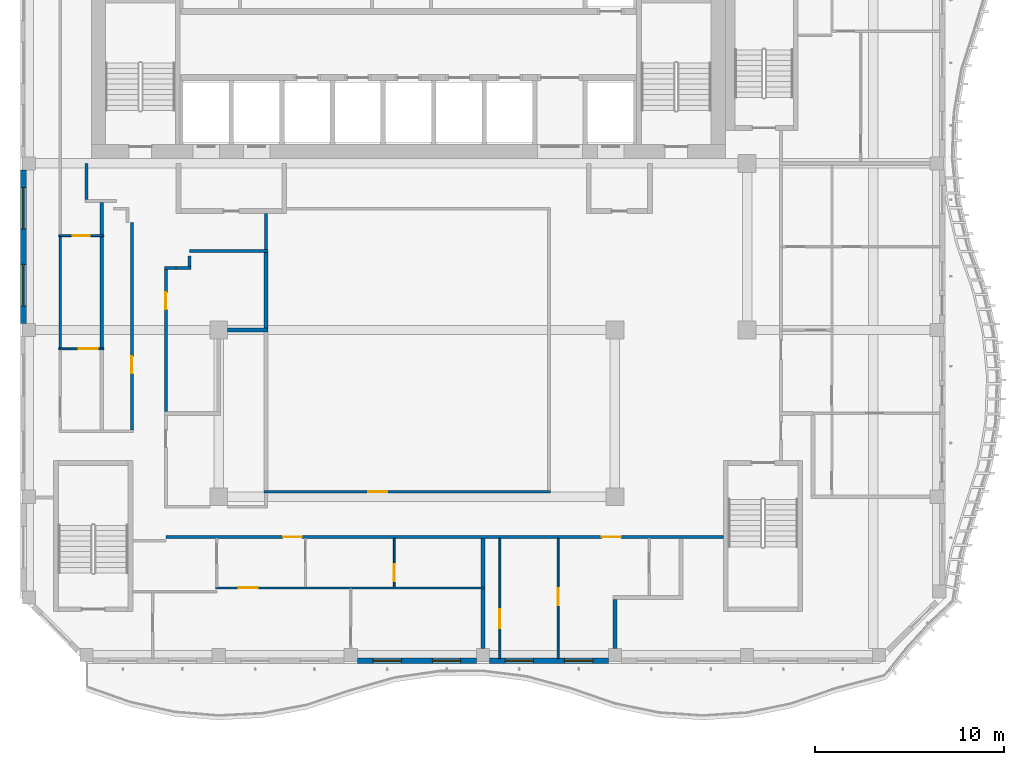
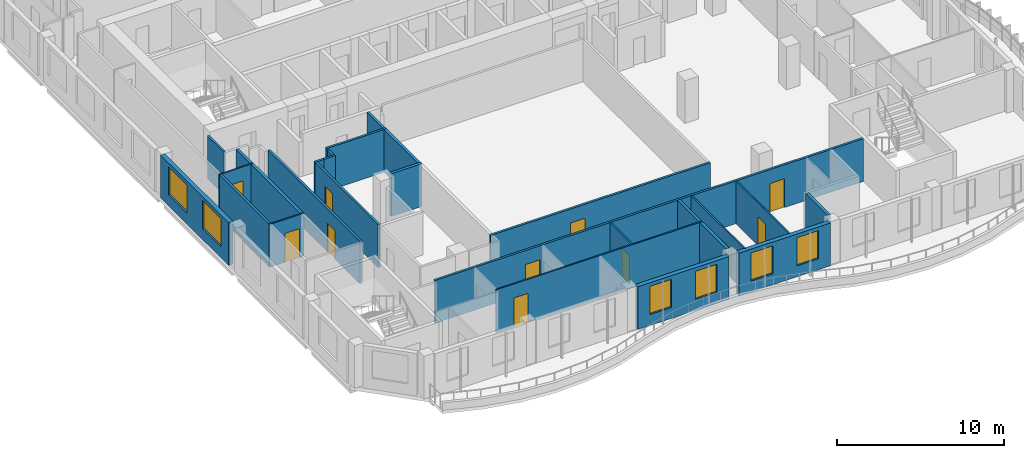
# One storey, part 3 of 19: 27 walls, 11 doors, 6 windows, 17 openings.
"""IFC4 building model written with IfcOpenShell, lengths in metres."""

from ifc_helpers import new_model, si_unit, direction, frame, frame_2d, origin, place, context, subcontext, project, spatial, rectangle, extrude, source, transform, mapped, material, layer, layer_set, type_object, element, fill, save


model = new_model("IFC4")

# Units and contexts
model_context = context("Model", 3, precision=1e-05, world=origin(), true_north=direction((0.0, 1.0)))
body_context = subcontext(model_context, "Body", "Model", "MODEL_VIEW")
ifc_project = project(units=[si_unit("LENGTHUNIT", "METRE"), si_unit("AREAUNIT", "SQUARE_METRE"), si_unit("VOLUMEUNIT", "CUBIC_METRE"), si_unit("PLANEANGLEUNIT", "RADIAN"), si_unit("MASSUNIT", "GRAM", prefix="KILO")], contexts=[model_context])

# Site, building, storey
site_placement = place(None, origin())
site = spatial("IfcSite", under=ifc_project, at=site_placement, CompositionType="ELEMENT")
building_placement = place(site_placement, origin())
building = spatial("IfcBuilding", under=site, at=building_placement, Name="Kilnfold Tower and Market Hall", CompositionType="ELEMENT")
storey_placement = place(building_placement, frame((0.0, 0.0, 245.800048828125)))
storey = spatial("IfcBuildingStorey", under=building, at=storey_placement, Name="L59", CompositionType="ELEMENT", Elevation=245.800048828125)

# Walls
ifc_material_1 = material(Name="Gypsum board on steel studs", Category="steel")
ifc_layer_1 = layer(ifc_material_1, 0.14990234375)
ifc_layer_set_1 = layer_set([ifc_layer_1], Name="Gypsum board on steel studs")
wall_type_1 = type_object("IfcWallType", Name="WALL CORRIDOR 150", PredefinedType="PARTITIONING", material=ifc_layer_set_1)
wall_1_placement = place(storey_placement, frame((-17.39990234375, -1.791015625, 0.0), z_axis=(0.0, 0.0, 1.0), x_axis=(0.0, 1.0, 0.0)))
element("IfcWall", 1, at=wall_1_placement, inside=storey, type_object=wall_type_1, Name="Partition LY36.3", PredefinedType="PARTITIONING", context=body_context, shape_type="SweptSolid", body=[
    extrude(rectangle(XDim=5.925048828125, YDim=0.14990234375, at=frame_2d((2.96240234375, 0.0))), origin(), (0.0, 0.0, 1.0), 3.119873046875),
])
wall_2_placement = place(storey_placement, frame((-16.0, 6.074951171875, 0.0), z_axis=(0.0, 0.0, 1.0), x_axis=(0.0, 1.0, 0.0)))
element("IfcWall", 2, at=wall_2_placement, inside=storey, type_object=wall_type_1, Name="Partition LY36.6", PredefinedType="PARTITIONING", context=body_context, shape_type="SweptSolid", body=[
    extrude(rectangle(XDim=1.925048828125, YDim=0.14990234375, at=frame_2d((0.96240234375, 0.0))), origin(), (0.0, 0.0, 1.0), 3.119873046875),
])

# Wall, openings, doors
wall_3_placement = place(storey_placement, frame((-11.800048828125, -11.800048828125, 0.0), z_axis=(0.0, 0.0, 1.0), x_axis=(1.0, 0.0, 0.0)))
wall_3 = element("IfcWall", 3, at=wall_3_placement, inside=storey, type_object=wall_type_1, Name="Partition LY36.9", PredefinedType="PARTITIONING", context=body_context, shape_type="SweptSolid", body=[
    extrude(rectangle(XDim=29.550048828125, YDim=0.14990234375, at=frame_2d((14.77490234375, 0.0))), origin(), (0.0, 0.0, 1.0), 3.119873046875),
])
opening_1_placement = place(wall_3_placement, frame((6.2099609375, 0.0, 0.0)))
opening_1 = element("IfcOpeningElement", 4, at=opening_1_placement, cuts=wall_3, Name="Opening D1", PredefinedType="OPENING", context=body_context, shape_type="SweptSolid", body=[
    extrude(rectangle(XDim=1.0, YDim=2.10009765625, at=frame_2d((0.5, 1.050048828125))), frame((0.0, 0.0849609375, 0.0), z_axis=(0.0, -1.0, 0.0), x_axis=(1.0, 0.0, 0.0)), (0.0, 0.0, 1.0), 0.169921875),
])
opening_2_placement = place(wall_3_placement, frame((23.111083984375, 0.0, 0.0)))
opening_2 = element("IfcOpeningElement", 5, at=opening_2_placement, cuts=wall_3, Name="Opening D1", PredefinedType="OPENING", context=body_context, shape_type="SweptSolid", body=[
    extrude(rectangle(XDim=1.0, YDim=2.10009765625, at=frame_2d((0.5, 1.050048828125))), frame((0.0, 0.0849609375, 0.0), z_axis=(0.0, -1.0, 0.0), x_axis=(1.0, 0.0, 0.0)), (0.0, 0.0, 1.0), 0.169921875),
])
ifc_material_2 = material(Name="Timber veneer door leaf in steel frame", Category="steel")
door_type_1 = type_object("IfcDoorType", Name="DOOR ENTRY 1000 X2100", OperationType="NOTDEFINED", PredefinedType="DOOR", material=ifc_material_2)
door_1_placement = place(opening_1_placement, origin())
door_1 = element("IfcDoor", 6, at=door_1_placement, inside=storey, type_object=door_type_1, Name="Door D1", OperationType="SINGLE_SWING_RIGHT", OverallHeight=2.10009765625, OverallWidth=1.0, PredefinedType="DOOR", context=body_context, shape_type="SweptSolid", body=[
    extrude(rectangle(XDim=1.0, YDim=2.10009765625, at=frame_2d((0.5, 1.050048828125))), frame((0.0, 0.02490234375, 0.0), z_axis=(0.0, -1.0, 0.0), x_axis=(1.0, 0.0, 0.0)), (0.0, 0.0, 1.0), 0.050048828125),
])
fill(opening_1, door_1)
door_2_placement = place(opening_2_placement, origin())
door_2 = element("IfcDoor", 7, at=door_2_placement, inside=storey, type_object=door_type_1, Name="Door D1", OperationType="SINGLE_SWING_RIGHT", OverallHeight=2.10009765625, OverallWidth=1.0, PredefinedType="DOOR", context=body_context, shape_type="SweptSolid", body=[
    extrude(rectangle(XDim=1.0, YDim=2.10009765625, at=frame_2d((0.5, 1.050048828125))), frame((0.0, 0.02490234375, 0.0), z_axis=(0.0, -1.0, 0.0), x_axis=(1.0, 0.0, 0.0)), (0.0, 0.0, 1.0), 0.050048828125),
])
fill(opening_2, door_2)

# Wall, opening, door
wall_4_placement = place(storey_placement, frame((-13.60009765625, 4.87890625, 0.0), z_axis=(0.0, 0.0, 1.0), x_axis=(0.0, -1.0, 0.0)))
wall_4 = element("IfcWall", 8, at=wall_4_placement, inside=storey, type_object=wall_type_1, Name="Partition LY36.28", PredefinedType="PARTITIONING", context=body_context, shape_type="SweptSolid", body=[
    extrude(rectangle(XDim=11.00390625, YDim=0.14990234375, at=frame_2d((5.501953125, 0.0))), origin(), (0.0, 0.0, 1.0), 3.119873046875),
])
opening_3_placement = place(wall_4_placement, frame((7.10302734375, 0.0, 0.0)))
opening_3 = element("IfcOpeningElement", 9, at=opening_3_placement, cuts=wall_4, Name="Opening D2", PredefinedType="OPENING", context=body_context, shape_type="SweptSolid", body=[
    extrude(rectangle(XDim=0.89990234375, YDim=2.10009765625, at=frame_2d((0.449951171875, 1.050048828125))), frame((0.0, 0.0849609375, 0.0), z_axis=(0.0, -1.0, 0.0), x_axis=(1.0, 0.0, 0.0)), (0.0, 0.0, 1.0), 0.169921875),
])
ifc_material_3 = material(Name="Timber veneer door leaf in steel frame", Category="steel")
door_type_2 = type_object("IfcDoorType", Name="DOOR ROOM 900 X2100", OperationType="NOTDEFINED", PredefinedType="DOOR", material=ifc_material_3)
door_3_placement = place(opening_3_placement, origin())
door_3 = element("IfcDoor", 10, at=door_3_placement, inside=storey, type_object=door_type_2, Name="Door D2", OperationType="SINGLE_SWING_RIGHT", OverallHeight=2.10009765625, OverallWidth=0.89990234375, PredefinedType="DOOR", context=body_context, shape_type="SweptSolid", body=[
    extrude(rectangle(XDim=0.89990234375, YDim=2.10009765625, at=frame_2d((0.449951171875, 1.050048828125))), frame((0.0, 0.02490234375, 0.0), z_axis=(0.0, -1.0, 0.0), x_axis=(1.0, 0.0, 0.0)), (0.0, 0.0, 1.0), 0.050048828125),
])
fill(opening_3, door_3)

# Walls
wall_5_placement = place(storey_placement, frame((-10.5458984375, 3.35009765625, 0.0), z_axis=(0.0, 0.0, 1.0), x_axis=(1.0, 0.0, 0.0)))
element("IfcWall", 11, at=wall_5_placement, inside=storey, type_object=wall_type_1, Name="Partition LY36.31", PredefinedType="PARTITIONING", context=body_context, shape_type="SweptSolid", body=[
    extrude(rectangle(XDim=4.14599609375, YDim=0.14990234375, at=frame_2d((2.072998046875, 0.0))), origin(), (0.0, 0.0, 1.0), 3.119873046875),
])
wall_6_placement = place(storey_placement, frame((-10.5439453125, 2.52294921875, 0.0), z_axis=(0.0, 0.0, 1.0), x_axis=(0.0, 1.0, 0.0)))
element("IfcWall", 12, at=wall_6_placement, inside=storey, type_object=wall_type_1, Name="Partition LY36.32", PredefinedType="PARTITIONING", context=body_context, shape_type="SweptSolid", body=[
    extrude(rectangle(XDim=0.570068359375, YDim=0.14990234375, at=frame_2d((0.28515625, 0.0))), origin(), (0.0, 0.0, 1.0), 3.119873046875),
])
wall_7_placement = place(storey_placement, frame((-11.261962890625, 2.447998046875, 0.0), z_axis=(0.0, 0.0, 1.0), x_axis=(1.0, 0.0, 0.0)))
element("IfcWall", 13, at=wall_7_placement, inside=storey, type_object=wall_type_1, Name="Partition LY36.33", PredefinedType="PARTITIONING", context=body_context, shape_type="SweptSolid", body=[
    extrude(rectangle(XDim=0.79296875, YDim=0.14990234375, at=frame_2d((0.396484375, 0.0))), origin(), (0.0, 0.0, 1.0), 3.119873046875),
])
wall_8_placement = place(storey_placement, frame((-11.875, 2.449951171875, 0.0), z_axis=(0.0, 0.0, 1.0), x_axis=(1.0, 0.0, 0.0)))
element("IfcWall", 14, at=wall_8_placement, inside=storey, type_object=wall_type_1, Name="Partition LY36.34", PredefinedType="PARTITIONING", context=body_context, shape_type="SweptSolid", body=[
    extrude(rectangle(XDim=0.613037109375, YDim=0.14990234375, at=frame_2d((0.306640625, 0.0))), origin(), (0.0, 0.0, 1.0), 3.119873046875),
])

# Wall, opening, door
wall_9_placement = place(storey_placement, frame((-11.800048828125, -5.159912109375, 0.0), z_axis=(0.0, 0.0, 1.0), x_axis=(0.0, 1.0, 0.0)))
wall_9 = element("IfcWall", 15, at=wall_9_placement, inside=storey, type_object=wall_type_1, Name="Partition LY36.35", PredefinedType="PARTITIONING", context=body_context, shape_type="SweptSolid", body=[
    extrude(rectangle(XDim=7.534912109375, YDim=0.14990234375, at=frame_2d((3.767578125, 0.0))), origin(), (0.0, 0.0, 1.0), 3.119873046875),
])
opening_4_placement = place(wall_9_placement, frame((5.428955078125, 0.0, 0.0)))
opening_4 = element("IfcOpeningElement", 16, at=opening_4_placement, cuts=wall_9, Name="Opening D2", PredefinedType="OPENING", context=body_context, shape_type="SweptSolid", body=[
    extrude(rectangle(XDim=0.89990234375, YDim=2.10009765625, at=frame_2d((0.449951171875, 1.050048828125))), frame((0.0, 0.0849609375, 0.0), z_axis=(0.0, -1.0, 0.0), x_axis=(1.0, 0.0, 0.0)), (0.0, 0.0, 1.0), 0.169921875),
])
door_4_placement = place(opening_4_placement, origin())
door_4 = element("IfcDoor", 17, at=door_4_placement, inside=storey, type_object=door_type_2, Name="Door D2", OperationType="SINGLE_SWING_LEFT", OverallHeight=2.10009765625, OverallWidth=0.89990234375, PredefinedType="DOOR", context=body_context, shape_type="SweptSolid", body=[
    extrude(rectangle(XDim=0.89990234375, YDim=2.10009765625, at=frame_2d((0.449951171875, 1.050048828125))), frame((0.0, 0.02490234375, 0.0), z_axis=(0.0, -1.0, 0.0), x_axis=(1.0, 0.0, 0.0)), (0.0, 0.0, 1.0), 0.050048828125),
])
fill(opening_4, door_4)

# Wall
wall_10_placement = place(storey_placement, frame((-6.5, 3.425048828125, 0.0), z_axis=(0.0, 0.0, 1.0), x_axis=(0.0, 1.0, 0.0)))
element("IfcWall", 18, at=wall_10_placement, inside=storey, type_object=wall_type_1, Name="Partition LY36.40", PredefinedType="PARTITIONING", context=body_context, shape_type="SweptSolid", body=[
    extrude(rectangle(XDim=1.925048828125, YDim=0.14990234375, at=frame_2d((0.96240234375, 0.0))), origin(), (0.0, 0.0, 1.0), 3.119873046875),
])

# Wall, opening, door
wall_11_placement = place(storey_placement, frame((8.574951171875, -9.39990234375, 0.0), z_axis=(0.0, 0.0, 1.0), x_axis=(-1.0, 0.0, 0.0)))
wall_11 = element("IfcWall", 19, at=wall_11_placement, inside=storey, type_object=wall_type_1, Name="Partition LY36.41", PredefinedType="PARTITIONING", context=body_context, shape_type="SweptSolid", body=[
    extrude(rectangle(XDim=15.175048828125, YDim=0.14990234375, at=frame_2d((7.58740234375, 0.0))), origin(), (0.0, 0.0, 1.0), 3.119873046875),
])
opening_5_placement = place(wall_11_placement, frame((8.64599609375, 0.0, 0.0)))
opening_5 = element("IfcOpeningElement", 20, at=opening_5_placement, cuts=wall_11, Name="Opening D1", PredefinedType="OPENING", context=body_context, shape_type="SweptSolid", body=[
    extrude(rectangle(XDim=1.0, YDim=2.10009765625, at=frame_2d((0.5, 1.050048828125))), frame((0.0, 0.0849609375, 0.0), z_axis=(0.0, -1.0, 0.0), x_axis=(1.0, 0.0, 0.0)), (0.0, 0.0, 1.0), 0.169921875),
])
door_5_placement = place(opening_5_placement, origin())
door_5 = element("IfcDoor", 21, at=door_5_placement, inside=storey, type_object=door_type_1, Name="Door D1", OperationType="SINGLE_SWING_RIGHT", OverallHeight=2.10009765625, OverallWidth=1.0, PredefinedType="DOOR", context=body_context, shape_type="SweptSolid", body=[
    extrude(rectangle(XDim=1.0, YDim=2.10009765625, at=frame_2d((0.5, 1.050048828125))), frame((0.0, 0.02490234375, 0.0), z_axis=(0.0, -1.0, 0.0), x_axis=(1.0, 0.0, 0.0)), (0.0, 0.0, 1.0), 0.050048828125),
])
fill(opening_5, door_5)

ifc_material_4 = material(Name="Gypsum board on steel studs", Category="steel")
ifc_layer_2 = layer(ifc_material_4, 0.10009765625)
ifc_layer_set_2 = layer_set([ifc_layer_2], Name="Gypsum board on steel studs")
wall_type_2 = type_object("IfcWallType", Name="WALL PARTITION 100", PredefinedType="PARTITIONING", material=ifc_layer_set_2)
wall_12_placement = place(storey_placement, frame((-15.10009765625, -1.8310546875, 0.0), z_axis=(0.0, 0.0, 1.0), x_axis=(-1.0, 0.0, 0.0)))
wall_12 = element("IfcWall", 22, at=wall_12_placement, inside=storey, type_object=wall_type_2, Name="Partition LY36.44", PredefinedType="PARTITIONING", context=body_context, shape_type="SweptSolid", body=[
    extrude(rectangle(XDim=2.372802734375, YDim=0.10009765625, at=frame_2d((1.1865234375, 0.0))), origin(), (0.0, 0.0, 1.0), 3.119873046875),
])
opening_6_placement = place(wall_12_placement, frame((0.30810546875, 0.0, 0.0)))
opening_6 = element("IfcOpeningElement", 23, at=opening_6_placement, cuts=wall_12, Name="Opening D1", PredefinedType="OPENING", context=body_context, shape_type="SweptSolid", body=[
    extrude(rectangle(XDim=1.0, YDim=2.10009765625, at=frame_2d((0.5, 1.050048828125))), frame((0.0, 0.06005859375, 0.0), z_axis=(0.0, -1.0, 0.0), x_axis=(1.0, 0.0, 0.0)), (0.0, 0.0, 1.0), 0.1201171875),
])
door_6_placement = place(opening_6_placement, origin())
door_6 = element("IfcDoor", 24, at=door_6_placement, inside=storey, type_object=door_type_1, Name="Door D1", OperationType="SINGLE_SWING_RIGHT", OverallHeight=2.10009765625, OverallWidth=1.0, PredefinedType="DOOR", context=body_context, shape_type="SweptSolid", body=[
    extrude(rectangle(XDim=1.0, YDim=2.10009765625, at=frame_2d((0.5, 1.050048828125))), frame((0.0, 0.02490234375, 0.0), z_axis=(0.0, -1.0, 0.0), x_axis=(1.0, 0.0, 0.0)), (0.0, 0.0, 1.0), 0.050048828125),
])
fill(opening_6, door_6)

wall_13_placement = place(storey_placement, frame((-15.10009765625, 4.174072265625, 0.0), z_axis=(0.0, 0.0, 1.0), x_axis=(-1.0, 0.0, 0.0)))
wall_13 = element("IfcWall", 25, at=wall_13_placement, inside=storey, type_object=wall_type_2, Name="Partition LY36.46", PredefinedType="PARTITIONING", context=body_context, shape_type="SweptSolid", body=[
    extrude(rectangle(XDim=2.372802734375, YDim=0.10009765625, at=frame_2d((1.1865234375, 0.0))), origin(), (0.0, 0.0, 1.0), 3.119873046875),
])
opening_7_placement = place(wall_13_placement, frame((0.736083984375, 0.0, 0.0)))
opening_7 = element("IfcOpeningElement", 26, at=opening_7_placement, cuts=wall_13, Name="Opening D2", PredefinedType="OPENING", context=body_context, shape_type="SweptSolid", body=[
    extrude(rectangle(XDim=0.89990234375, YDim=2.10009765625, at=frame_2d((0.449951171875, 1.050048828125))), frame((0.0, 0.06005859375, 0.0), z_axis=(0.0, -1.0, 0.0), x_axis=(1.0, 0.0, 0.0)), (0.0, 0.0, 1.0), 0.1201171875),
])
door_7_placement = place(opening_7_placement, origin())
door_7 = element("IfcDoor", 27, at=door_7_placement, inside=storey, type_object=door_type_2, Name="Door D2", OperationType="SINGLE_SWING_RIGHT", OverallHeight=2.10009765625, OverallWidth=0.89990234375, PredefinedType="DOOR", context=body_context, shape_type="SweptSolid", body=[
    extrude(rectangle(XDim=0.89990234375, YDim=2.10009765625, at=frame_2d((0.449951171875, 1.050048828125))), frame((0.0, 0.02490234375, 0.0), z_axis=(0.0, -1.0, 0.0), x_axis=(1.0, 0.0, 0.0)), (0.0, 0.0, 1.0), 0.050048828125),
])
fill(opening_7, door_7)

wall_14_placement = place(storey_placement, frame((-9.14990234375, -14.5, 0.0), z_axis=(0.0, 0.0, 1.0), x_axis=(1.0, 0.0, 0.0)))
wall_14 = element("IfcWall", 28, at=wall_14_placement, inside=storey, type_object=wall_type_2, Name="Partition LY36.53", PredefinedType="PARTITIONING", context=body_context, shape_type="SweptSolid", body=[
    extrude(rectangle(XDim=14.25, YDim=0.10009765625, at=frame_2d((7.125, 0.0))), origin(), (0.0, 0.0, 1.0), 3.119873046875),
])
opening_8_placement = place(wall_14_placement, frame((1.215087890625, 0.0, 0.0)))
opening_8 = element("IfcOpeningElement", 29, at=opening_8_placement, cuts=wall_14, Name="Opening D1", PredefinedType="OPENING", context=body_context, shape_type="SweptSolid", body=[
    extrude(rectangle(XDim=1.0, YDim=2.10009765625, at=frame_2d((0.5, 1.050048828125))), frame((0.0, 0.06005859375, 0.0), z_axis=(0.0, -1.0, 0.0), x_axis=(1.0, 0.0, 0.0)), (0.0, 0.0, 1.0), 0.1201171875),
])
door_8_placement = place(opening_8_placement, origin())
door_8 = element("IfcDoor", 30, at=door_8_placement, inside=storey, type_object=door_type_1, Name="Door D1", OperationType="SINGLE_SWING_LEFT", OverallHeight=2.10009765625, OverallWidth=1.0, PredefinedType="DOOR", context=body_context, shape_type="SweptSolid", body=[
    extrude(rectangle(XDim=1.0, YDim=2.10009765625, at=frame_2d((0.5, 1.050048828125))), frame((0.0, 0.02490234375, 0.0), z_axis=(0.0, -1.0, 0.0), x_axis=(1.0, 0.0, 0.0)), (0.0, 0.0, 1.0), 0.050048828125),
])
fill(opening_8, door_8)

wall_15_placement = place(storey_placement, frame((0.300048828125, -14.449951171875, 0.0), z_axis=(0.0, 0.0, 1.0), x_axis=(0.0, 1.0, 0.0)))
wall_15 = element("IfcWall", 31, at=wall_15_placement, inside=storey, type_object=wall_type_2, Name="Partition LY36.54", PredefinedType="PARTITIONING", context=body_context, shape_type="SweptSolid", body=[
    extrude(rectangle(XDim=2.572998046875, YDim=0.10009765625, at=frame_2d((1.28662109375, 0.0))), origin(), (0.0, 0.0, 1.0), 3.119873046875),
])
opening_9_placement = place(wall_15_placement, frame((0.305908203125, 0.0, 0.0)))
opening_9 = element("IfcOpeningElement", 32, at=opening_9_placement, cuts=wall_15, Name="Opening D2", PredefinedType="OPENING", context=body_context, shape_type="SweptSolid", body=[
    extrude(rectangle(XDim=0.89990234375, YDim=2.10009765625, at=frame_2d((0.449951171875, 1.050048828125))), frame((0.0, 0.06005859375, 0.0), z_axis=(0.0, -1.0, 0.0), x_axis=(1.0, 0.0, 0.0)), (0.0, 0.0, 1.0), 0.1201171875),
])
door_9_placement = place(opening_9_placement, origin())
door_9 = element("IfcDoor", 33, at=door_9_placement, inside=storey, type_object=door_type_2, Name="Door D2", OperationType="SINGLE_SWING_RIGHT", OverallHeight=2.10009765625, OverallWidth=0.89990234375, PredefinedType="DOOR", context=body_context, shape_type="SweptSolid", body=[
    extrude(rectangle(XDim=0.89990234375, YDim=2.10009765625, at=frame_2d((0.449951171875, 1.050048828125))), frame((0.0, 0.02490234375, 0.0), z_axis=(0.0, -1.0, 0.0), x_axis=(1.0, 0.0, 0.0)), (0.0, 0.0, 1.0), 0.050048828125),
])
fill(opening_9, door_9)

wall_16_placement = place(storey_placement, frame((5.89990234375, -18.25, 0.0), z_axis=(0.0, 0.0, 1.0), x_axis=(0.0, 1.0, 0.0)))
wall_16 = element("IfcWall", 34, at=wall_16_placement, inside=storey, type_object=wall_type_2, Name="Partition LY36.59", PredefinedType="PARTITIONING", context=body_context, shape_type="SweptSolid", body=[
    extrude(rectangle(XDim=6.373046875, YDim=0.10009765625, at=frame_2d((3.1865234375, 0.0))), origin(), (0.0, 0.0, 1.0), 3.119873046875),
])
opening_10_placement = place(wall_16_placement, frame((1.62109375, 0.0, 0.0)))
opening_10 = element("IfcOpeningElement", 35, at=opening_10_placement, cuts=wall_16, Name="Opening D1", PredefinedType="OPENING", context=body_context, shape_type="SweptSolid", body=[
    extrude(rectangle(XDim=1.0, YDim=2.10009765625, at=frame_2d((0.5, 1.050048828125))), frame((0.0, 0.06005859375, 0.0), z_axis=(0.0, -1.0, 0.0), x_axis=(1.0, 0.0, 0.0)), (0.0, 0.0, 1.0), 0.1201171875),
])
door_10_placement = place(opening_10_placement, origin())
door_10 = element("IfcDoor", 36, at=door_10_placement, inside=storey, type_object=door_type_1, Name="Door D1", OperationType="SINGLE_SWING_LEFT", OverallHeight=2.10009765625, OverallWidth=1.0, PredefinedType="DOOR", context=body_context, shape_type="SweptSolid", body=[
    extrude(rectangle(XDim=1.0, YDim=2.10009765625, at=frame_2d((0.5, 1.050048828125))), frame((0.0, 0.02490234375, 0.0), z_axis=(0.0, -1.0, 0.0), x_axis=(1.0, 0.0, 0.0)), (0.0, 0.0, 1.0), 0.050048828125),
])
fill(opening_10, door_10)

wall_17_placement = place(storey_placement, frame((8.989990234375, -18.25, 0.0), z_axis=(0.0, 0.0, 1.0), x_axis=(0.0, 1.0, 0.0)))
wall_17 = element("IfcWall", 37, at=wall_17_placement, inside=storey, type_object=wall_type_2, Name="Partition LY36.60", PredefinedType="PARTITIONING", context=body_context, shape_type="SweptSolid", body=[
    extrude(rectangle(XDim=6.373046875, YDim=0.10009765625, at=frame_2d((3.1865234375, 0.0))), origin(), (0.0, 0.0, 1.0), 3.119873046875),
])
opening_11_placement = place(wall_17_placement, frame((2.837890625, 0.0, 0.0)))
opening_11 = element("IfcOpeningElement", 38, at=opening_11_placement, cuts=wall_17, Name="Opening D2", PredefinedType="OPENING", context=body_context, shape_type="SweptSolid", body=[
    extrude(rectangle(XDim=0.89990234375, YDim=2.10009765625, at=frame_2d((0.449951171875, 1.050048828125))), frame((0.0, 0.06005859375, 0.0), z_axis=(0.0, -1.0, 0.0), x_axis=(1.0, 0.0, 0.0)), (0.0, 0.0, 1.0), 0.1201171875),
])
door_11_placement = place(opening_11_placement, origin())
door_11 = element("IfcDoor", 39, at=door_11_placement, inside=storey, type_object=door_type_2, Name="Door D2", OperationType="SINGLE_SWING_LEFT", OverallHeight=2.10009765625, OverallWidth=0.89990234375, PredefinedType="DOOR", context=body_context, shape_type="SweptSolid", body=[
    extrude(rectangle(XDim=0.89990234375, YDim=2.10009765625, at=frame_2d((0.449951171875, 1.050048828125))), frame((0.0, 0.02490234375, 0.0), z_axis=(0.0, -1.0, 0.0), x_axis=(1.0, 0.0, 0.0)), (0.0, 0.0, 1.0), 0.050048828125),
])
fill(opening_11, door_11)

# Walls
ifc_material_5 = material(Name="Gypsum board on steel studs", Category="steel")
ifc_layer_3 = layer(ifc_material_5, 0.199951171875)
ifc_layer_set_3 = layer_set([ifc_layer_3], Name="Gypsum board on steel studs")
wall_type_3 = type_object("IfcWallType", Name="WALL PARTY 200", PredefinedType="PARTITIONING", material=ifc_layer_set_3)
wall_18_placement = place(storey_placement, frame((-15.199951171875, -1.781005859375, 0.0), z_axis=(0.0, 0.0, 1.0), x_axis=(0.0, 1.0, 0.0)))
element("IfcWall", 40, at=wall_18_placement, inside=storey, type_object=wall_type_3, Name="Partition LY36.47", PredefinedType="PARTITIONING", context=body_context, shape_type="SweptSolid", body=[
    extrude(rectangle(XDim=5.905029296875, YDim=0.199951171875, at=frame_2d((2.95263671875, 0.0))), origin(), (0.0, 0.0, 1.0), 3.119873046875),
])
wall_19_placement = place(storey_placement, frame((-15.199951171875, 4.22412109375, 0.0), z_axis=(0.0, 0.0, 1.0), x_axis=(0.0, 1.0, 0.0)))
element("IfcWall", 41, at=wall_19_placement, inside=storey, type_object=wall_type_3, Name="Partition LY36.49", PredefinedType="PARTITIONING", context=body_context, shape_type="SweptSolid", body=[
    extrude(rectangle(XDim=1.698974609375, YDim=0.199951171875, at=frame_2d((0.849609375, 0.0))), origin(), (0.0, 0.0, 1.0), 3.119873046875),
])
wall_20_placement = place(storey_placement, frame((5.0, -14.449951171875, 0.0), z_axis=(0.0, 0.0, 1.0), x_axis=(0.0, 1.0, 0.0)))
element("IfcWall", 42, at=wall_20_placement, inside=storey, type_object=wall_type_3, Name="Partition LY36.55", PredefinedType="PARTITIONING", context=body_context, shape_type="SweptSolid", body=[
    extrude(rectangle(XDim=2.572998046875, YDim=0.199951171875, at=frame_2d((1.28662109375, 0.0))), origin(), (0.0, 0.0, 1.0), 3.119873046875),
])
wall_21_placement = place(storey_placement, frame((5.0, -17.699951171875, 0.0), z_axis=(0.0, 0.0, 1.0), x_axis=(0.0, 1.0, 0.0)))
element("IfcWall", 43, at=wall_21_placement, inside=storey, type_object=wall_type_3, Name="Partition LY36.58", PredefinedType="PARTITIONING", context=body_context, shape_type="SweptSolid", body=[
    extrude(rectangle(XDim=3.14794921875, YDim=0.199951171875, at=frame_2d((1.573974609375, 0.0))), origin(), (0.0, 0.0, 1.0), 3.119873046875),
])
wall_22_placement = place(storey_placement, frame((12.0, -17.699951171875, 0.0), z_axis=(0.0, 0.0, 1.0), x_axis=(0.0, 1.0, 0.0)))
element("IfcWall", 44, at=wall_22_placement, inside=storey, type_object=wall_type_3, Name="Partition LY36.63", PredefinedType="PARTITIONING", context=body_context, shape_type="SweptSolid", body=[
    extrude(rectangle(XDim=2.599853515625, YDim=0.199951171875, at=frame_2d((1.2998046875, 0.0))), origin(), (0.0, 0.0, 1.0), 3.119873046875),
])
wall_23_placement = place(storey_placement, frame((-8.52490234375, -0.8330078125, 0.0), z_axis=(0.0, 0.0, 1.0), x_axis=(1.0, 0.0, 0.0)))
element("IfcWall", 45, at=wall_23_placement, inside=storey, type_object=wall_type_3, Name="Partition LY36.101", PredefinedType="PARTITIONING", context=body_context, shape_type="SweptSolid", body=[
    extrude(rectangle(XDim=2.125, YDim=0.199951171875, at=frame_2d((1.0625, 0.0))), origin(), (0.0, 0.0, 1.0), 3.119873046875),
])
wall_24_placement = place(storey_placement, frame((-6.5, -0.73291015625, 0.0), z_axis=(0.0, 0.0, 1.0), x_axis=(0.0, 1.0, 0.0)))
element("IfcWall", 46, at=wall_24_placement, inside=storey, type_object=wall_type_3, Name="Partition LY36.104", PredefinedType="PARTITIONING", context=body_context, shape_type="SweptSolid", body=[
    extrude(rectangle(XDim=4.005859375, YDim=0.199951171875, at=frame_2d((2.0029296875, 0.0))), origin(), (0.0, 0.0, 1.0), 3.119873046875),
])

# Wall, openings, windows
ifc_material_6 = material(Name="Precast concrete C50/60", Category="concrete")
ifc_layer_4 = layer(ifc_material_6, 0.300048828125)
ifc_layer_set_4 = layer_set([ifc_layer_4], Name="Precast concrete C50/60")
wall_type_4 = type_object("IfcWallType", Name="PRECAST WALL 300", PredefinedType="SOLIDWALL", material=ifc_layer_set_4)
shared_shape_1 = source(origin(), body_context, "Body", "SweptSolid", [
    extrude(rectangle(XDim=6.2998046875, YDim=0.300048828125, at=frame_2d((3.14990234375, 0.0))), origin(), (0.0, 0.0, 1.0), 3.119873046875),
])
wall_25_placement = place(storey_placement, frame((-1.64990234375, -18.35009765625, 0.0), z_axis=(0.0, 0.0, 1.0), x_axis=(1.0, 0.0, 0.0)))
wall_25 = element("IfcWall", 47, at=wall_25_placement, inside=storey, type_object=wall_type_4, Name="External wall L59 S", PredefinedType="SOLIDWALL", context=body_context, shape_type="MappedRepresentation", body=[
    mapped(shared_shape_1, transform((0.0, 0.0, 0.0))),
])
opening_12_placement = place(wall_25_placement, frame((0.824951171875, 0.0, 0.800048828125)))
opening_12 = element("IfcOpeningElement", 48, at=opening_12_placement, cuts=wall_25, Name="Opening W5", PredefinedType="OPENING", context=body_context, shape_type="SweptSolid", body=[
    extrude(rectangle(XDim=1.5, YDim=2.050048828125, at=frame_2d((0.75, 1.02490234375))), frame((0.0, 0.16015625, 0.0), z_axis=(0.0, -1.0, 0.0), x_axis=(1.0, 0.0, 0.0)), (0.0, 0.0, 1.0), 0.320068359375),
])
opening_13_placement = place(wall_25_placement, frame((3.97509765625, 0.0, 0.800048828125)))
opening_13 = element("IfcOpeningElement", 49, at=opening_13_placement, cuts=wall_25, Name="Opening W5", PredefinedType="OPENING", context=body_context, shape_type="SweptSolid", body=[
    extrude(rectangle(XDim=1.5, YDim=2.050048828125, at=frame_2d((0.75, 1.02490234375))), frame((0.0, 0.16015625, 0.0), z_axis=(0.0, -1.0, 0.0), x_axis=(1.0, 0.0, 0.0)), (0.0, 0.0, 1.0), 0.320068359375),
])
ifc_material_7 = material(Name="Aluminium frame and double glazing", Category="aluminium")
window_type_1 = type_object("IfcWindowType", Name="WINDOW W5 1500X2050", PartitioningType="SINGLE_PANEL", PredefinedType="WINDOW", material=ifc_material_7)
window_1_placement = place(opening_12_placement, origin())
window_1 = element("IfcWindow", 50, at=window_1_placement, inside=storey, type_object=window_type_1, Name="Window W5 L59 S-1", OverallHeight=2.050048828125, OverallWidth=1.5, PartitioningType="SINGLE_PANEL", PredefinedType="WINDOW", context=body_context, shape_type="SweptSolid", body=[
    extrude(rectangle(XDim=1.5, YDim=2.050048828125, at=frame_2d((0.75, 1.02490234375))), frame((0.0, 0.030029296875, 0.0), z_axis=(0.0, -1.0, 0.0), x_axis=(1.0, 0.0, 0.0)), (0.0, 0.0, 1.0), 0.06005859375),
])
fill(opening_12, window_1)
window_2_placement = place(opening_13_placement, origin())
window_2 = element("IfcWindow", 51, at=window_2_placement, inside=storey, type_object=window_type_1, Name="Window W5 L59 S-2", OverallHeight=2.050048828125, OverallWidth=1.5, PartitioningType="SINGLE_PANEL", PredefinedType="WINDOW", context=body_context, shape_type="SweptSolid", body=[
    extrude(rectangle(XDim=1.5, YDim=2.050048828125, at=frame_2d((0.75, 1.02490234375))), frame((0.0, 0.030029296875, 0.0), z_axis=(0.0, -1.0, 0.0), x_axis=(1.0, 0.0, 0.0)), (0.0, 0.0, 1.0), 0.06005859375),
])
fill(opening_13, window_2)

wall_26_placement = place(storey_placement, frame((5.35009765625, -18.35009765625, 0.0), z_axis=(0.0, 0.0, 1.0), x_axis=(1.0, 0.0, 0.0)))
wall_26 = element("IfcWall", 52, at=wall_26_placement, inside=storey, type_object=wall_type_4, Name="External wall L59 S", PredefinedType="SOLIDWALL", context=body_context, shape_type="MappedRepresentation", body=[
    mapped(shared_shape_1, transform((0.0, 0.0, 0.0))),
])
opening_14_placement = place(wall_26_placement, frame((0.824951171875, 0.0, 0.800048828125)))
opening_14 = element("IfcOpeningElement", 53, at=opening_14_placement, cuts=wall_26, Name="Opening W5", PredefinedType="OPENING", context=body_context, shape_type="SweptSolid", body=[
    extrude(rectangle(XDim=1.5, YDim=2.050048828125, at=frame_2d((0.75, 1.02490234375))), frame((0.0, 0.16015625, 0.0), z_axis=(0.0, -1.0, 0.0), x_axis=(1.0, 0.0, 0.0)), (0.0, 0.0, 1.0), 0.320068359375),
])
opening_15_placement = place(wall_26_placement, frame((3.97509765625, 0.0, 0.800048828125)))
opening_15 = element("IfcOpeningElement", 54, at=opening_15_placement, cuts=wall_26, Name="Opening W5", PredefinedType="OPENING", context=body_context, shape_type="SweptSolid", body=[
    extrude(rectangle(XDim=1.5, YDim=2.050048828125, at=frame_2d((0.75, 1.02490234375))), frame((0.0, 0.16015625, 0.0), z_axis=(0.0, -1.0, 0.0), x_axis=(1.0, 0.0, 0.0)), (0.0, 0.0, 1.0), 0.320068359375),
])
window_3_placement = place(opening_14_placement, origin())
window_3 = element("IfcWindow", 55, at=window_3_placement, inside=storey, type_object=window_type_1, Name="Window W5 L59 S-1", OverallHeight=2.050048828125, OverallWidth=1.5, PartitioningType="SINGLE_PANEL", PredefinedType="WINDOW", context=body_context, shape_type="SweptSolid", body=[
    extrude(rectangle(XDim=1.5, YDim=2.050048828125, at=frame_2d((0.75, 1.02490234375))), frame((0.0, 0.030029296875, 0.0), z_axis=(0.0, -1.0, 0.0), x_axis=(1.0, 0.0, 0.0)), (0.0, 0.0, 1.0), 0.06005859375),
])
fill(opening_14, window_3)
window_4_placement = place(opening_15_placement, origin())
window_4 = element("IfcWindow", 56, at=window_4_placement, inside=storey, type_object=window_type_1, Name="Window W5 L59 S-2", OverallHeight=2.050048828125, OverallWidth=1.5, PartitioningType="SINGLE_PANEL", PredefinedType="WINDOW", context=body_context, shape_type="SweptSolid", body=[
    extrude(rectangle(XDim=1.5, YDim=2.050048828125, at=frame_2d((0.75, 1.02490234375))), frame((0.0, 0.030029296875, 0.0), z_axis=(0.0, -1.0, 0.0), x_axis=(1.0, 0.0, 0.0)), (0.0, 0.0, 1.0), 0.06005859375),
])
fill(opening_15, window_4)

shared_shape_2 = source(origin(), body_context, "Body", "SweptSolid", [
    extrude(rectangle(XDim=8.13330078125, YDim=0.300048828125, at=frame_2d((4.066650390625, 0.0))), origin(), (0.0, 0.0, 1.0), 3.119873046875),
])
wall_27_placement = place(storey_placement, frame((-19.35009765625, 7.64990234375, 0.0), z_axis=(0.0, 0.0, 1.0), x_axis=(0.0, -1.0, 0.0)))
wall_27 = element("IfcWall", 57, at=wall_27_placement, inside=storey, type_object=wall_type_4, Name="External wall L59 W", PredefinedType="SOLIDWALL", context=body_context, shape_type="MappedRepresentation", body=[
    mapped(shared_shape_2, transform((0.0, 0.0, 0.0))),
])
opening_16_placement = place(wall_27_placement, frame((0.933349609375, 0.0, 0.800048828125)))
opening_16 = element("IfcOpeningElement", 58, at=opening_16_placement, cuts=wall_27, Name="Opening W3", PredefinedType="OPENING", context=body_context, shape_type="SweptSolid", body=[
    extrude(rectangle(XDim=2.199951171875, YDim=2.050048828125, at=frame_2d((1.10009765625, 1.02490234375))), frame((0.0, 0.16015625, 0.0), z_axis=(0.0, -1.0, 0.0), x_axis=(1.0, 0.0, 0.0)), (0.0, 0.0, 1.0), 0.320068359375),
])
opening_17_placement = place(wall_27_placement, frame((5.0, 0.0, 0.800048828125)))
opening_17 = element("IfcOpeningElement", 59, at=opening_17_placement, cuts=wall_27, Name="Opening W3", PredefinedType="OPENING", context=body_context, shape_type="SweptSolid", body=[
    extrude(rectangle(XDim=2.199951171875, YDim=2.050048828125, at=frame_2d((1.10009765625, 1.02490234375))), frame((0.0, 0.16015625, 0.0), z_axis=(0.0, -1.0, 0.0), x_axis=(1.0, 0.0, 0.0)), (0.0, 0.0, 1.0), 0.320068359375),
])
ifc_material_8 = material(Name="Aluminium frame and double glazing", Category="aluminium")
window_type_2 = type_object("IfcWindowType", Name="WINDOW W3 2200X2050", PartitioningType="SINGLE_PANEL", PredefinedType="WINDOW", material=ifc_material_8)
window_5_placement = place(opening_16_placement, origin())
window_5 = element("IfcWindow", 60, at=window_5_placement, inside=storey, type_object=window_type_2, Name="Window W3 L59 W-1", OverallHeight=2.050048828125, OverallWidth=2.199951171875, PartitioningType="SINGLE_PANEL", PredefinedType="WINDOW", context=body_context, shape_type="SweptSolid", body=[
    extrude(rectangle(XDim=2.199951171875, YDim=2.050048828125, at=frame_2d((1.10009765625, 1.02490234375))), frame((0.0, 0.030029296875, 0.0), z_axis=(0.0, -1.0, 0.0), x_axis=(1.0, 0.0, 0.0)), (0.0, 0.0, 1.0), 0.06005859375),
])
fill(opening_16, window_5)
window_6_placement = place(opening_17_placement, origin())
window_6 = element("IfcWindow", 61, at=window_6_placement, inside=storey, type_object=window_type_2, Name="Window W3 L59 W-2", OverallHeight=2.050048828125, OverallWidth=2.199951171875, PartitioningType="SINGLE_PANEL", PredefinedType="WINDOW", context=body_context, shape_type="SweptSolid", body=[
    extrude(rectangle(XDim=2.199951171875, YDim=2.050048828125, at=frame_2d((1.10009765625, 1.02490234375))), frame((0.0, 0.030029296875, 0.0), z_axis=(0.0, -1.0, 0.0), x_axis=(1.0, 0.0, 0.0)), (0.0, 0.0, 1.0), 0.06005859375),
])
fill(opening_17, window_6)

save(model, "model.ifc")
